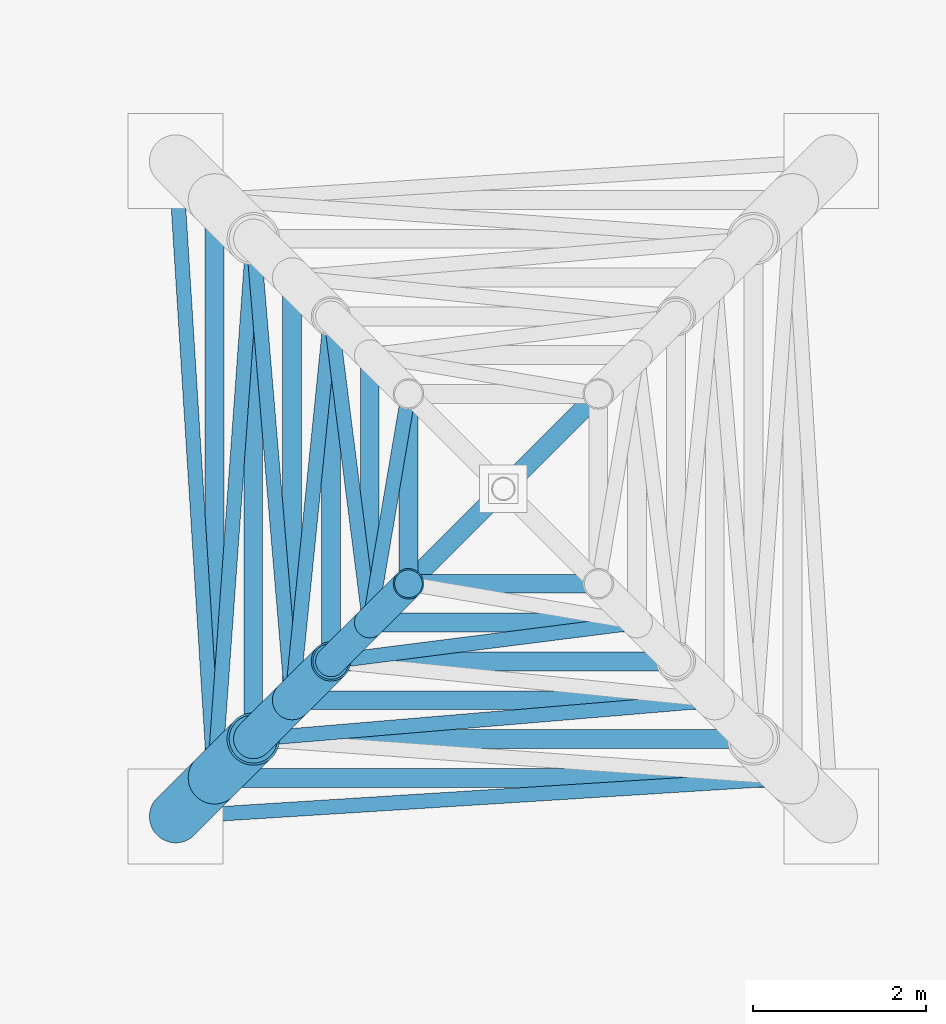
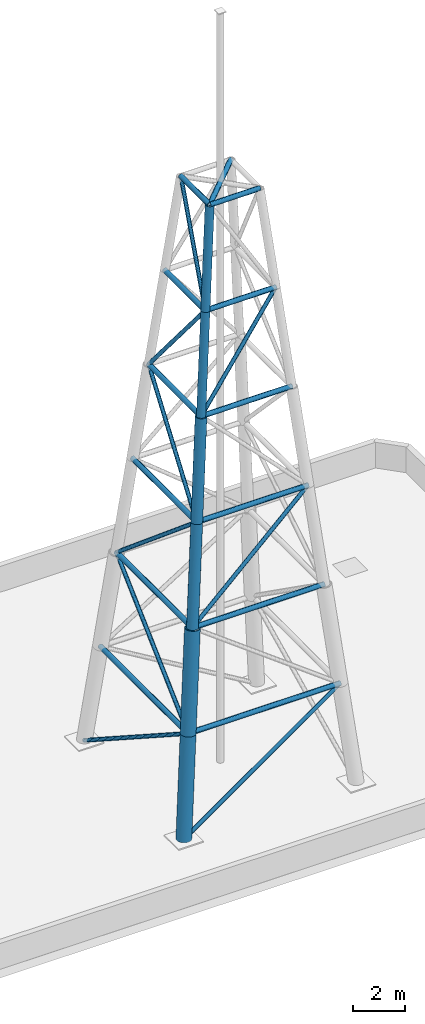
# One storey, part 1 of 3: 28 members.
"""IFC4 building model written with IfcOpenShell, lengths in metres."""

import ifcopenshell
import ifcopenshell.guid

model = None  # the IFC model being written
_history = None  # IfcOwnerHistory: only IFC2X3 demands one
_inside = {}  # id of a spatial element -> (the spatial element, [elements in it])
_under = {}  # id of a project, library or spatial element -> (it, [spatial elements below it])
_declared = {}  # id of a project -> (the project, [libraries it declares])
_typed = {}  # id of a type object -> (the type object, [elements of that type])
_made_of = {}  # id of a material, layer set ... -> (it, [elements and type objects made of it])


def new_model(schema):
    """Start an empty IFC model of exactly this schema.

    Asked for "IFC4X3", IfcOpenShell would pick the latest addendum, in which some entities
    have other attributes; the version numbers below select the first issue.
    IFC2X3 requires an IfcOwnerHistory on every rooted entity: one is made here for all.
    """
    global model, _history
    if schema == "IFC4X3":
        model = ifcopenshell.file(schema_version=(4, 3, 0, 0))
    else:
        model = ifcopenshell.file(schema=schema)
    _inside.clear()
    _under.clear()
    _declared.clear()
    _typed.clear()
    _made_of.clear()
    _history = None
    if model.schema == "IFC2X3":
        org = make("IfcOrganization", Name="unknown")
        user = make(
            "IfcPersonAndOrganization",
            ThePerson=make("IfcPerson", FamilyName="unknown"),
            TheOrganization=org,
        )
        app = make(
            "IfcApplication",
            ApplicationDeveloper=org,
            Version="unknown",
            ApplicationFullName="unknown",
            ApplicationIdentifier="unknown",
        )
        _history = make(
            "IfcOwnerHistory",
            OwningUser=user,
            OwningApplication=app,
            ChangeAction="ADDED",
            CreationDate=0,
        )
    return model


def make(cls, **values):
    """One entity of the class cls with the attributes given. An attribute that is None is left unset."""
    return model.create_entity(
        cls, **{name: value for name, value in values.items() if value is not None}
    )


def rooted(cls, **values):
    """An entity with a GlobalId (a new one), such as an element, a storey or a relation."""
    return make(cls, GlobalId=ifcopenshell.guid.new(), OwnerHistory=_history, **values)


def si_unit(unit_type, name, prefix=None):
    """IfcSIUnit, for example si_unit("LENGTHUNIT", "METRE", prefix="MILLI")."""
    return make("IfcSIUnit", UnitType=unit_type, Prefix=prefix, Name=name)


def assignment(units):
    """IfcUnitAssignment: the units of a project."""
    return None if units is None else make("IfcUnitAssignment", Units=units)


def point(xyz):
    """IfcCartesianPoint."""
    return None if xyz is None else make("IfcCartesianPoint", Coordinates=xyz)


def direction(xyz):
    """IfcDirection."""
    return None if xyz is None else make("IfcDirection", DirectionRatios=xyz)


def frame(location, z_axis=None, x_axis=None):
    """IfcAxis2Placement3D, a coordinate frame: its origin and axes. An axis left out is left unset."""
    return make(
        "IfcAxis2Placement3D",
        Location=point(location),
        Axis=direction(z_axis),
        RefDirection=direction(x_axis),
    )


def frame_2d(location, x_axis=None):
    """IfcAxis2Placement2D, a coordinate frame in the plane: its origin and x axis."""
    return make(
        "IfcAxis2Placement2D", Location=point(location), RefDirection=direction(x_axis)
    )


def origin():
    """The frame at (0, 0, 0) with its axes left unset."""
    return frame((0.0, 0.0, 0.0))


def origin_2d():
    """The frame at (0, 0) in the plane with its x axis left unset."""
    return frame_2d((0.0, 0.0))


def place(relative_to, where):
    """IfcLocalPlacement: puts the frame where relative to a parent placement (None: the world)."""
    return make(
        "IfcLocalPlacement", PlacementRelTo=relative_to, RelativePlacement=where
    )


def context(
    kind, dimensions, precision=None, world=None, true_north=None, identifier=None
):
    """IfcGeometricRepresentationContext, for example the 3D "Model" context."""
    return make(
        "IfcGeometricRepresentationContext",
        ContextIdentifier=identifier,
        ContextType=kind,
        CoordinateSpaceDimension=dimensions,
        Precision=precision,
        WorldCoordinateSystem=world,
        TrueNorth=true_north,
    )


def subcontext(parent, identifier, kind, view, scale=None):
    """IfcGeometricRepresentationSubContext, for example "Body" below "Model"."""
    return make(
        "IfcGeometricRepresentationSubContext",
        ContextIdentifier=identifier,
        ContextType=kind,
        ParentContext=parent,
        TargetScale=scale,
        TargetView=view,
    )


def project(units=None, contexts=None):
    """IfcProject with its units and contexts."""
    return rooted(
        "IfcProject",
        Name="project",
        RepresentationContexts=contexts,
        UnitsInContext=assignment(units),
    )


def spatial(cls, under=None, at=None, **own):
    """A site, building, storey or space (cls), placed at a placement, below another one or the project."""
    s = rooted(cls, ObjectPlacement=at, **own)
    if under is not None:
        _under.setdefault(under.id(), (under, []))[1].append(s)
    return s


def profile(cls, at=None, kind="AREA", **sizes):
    """A parametric profile (cls). Its sizes go by their IFC names, for example OverallWidth=200.0."""
    return make(cls, ProfileType=kind, Position=at, **sizes)


def hollow_circle(**sizes):
    """IfcCircleHollowProfileDef."""
    return profile("IfcCircleHollowProfileDef", **sizes)


def extrude(swept, where, along, depth):
    """IfcExtrudedAreaSolid: the profile swept, set in the frame where, extruded along a direction by depth."""
    return make(
        "IfcExtrudedAreaSolid",
        SweptArea=swept,
        Position=where,
        ExtrudedDirection=direction(along),
        Depth=depth,
    )


def shape(context_of_items, identifier, shape_type, items):
    """IfcShapeRepresentation: the items that make up one representation, for example the "Body"."""
    return make(
        "IfcShapeRepresentation",
        ContextOfItems=context_of_items,
        RepresentationIdentifier=identifier,
        RepresentationType=shape_type,
        Items=items,
    )


def material(Name=None, Category=None):
    """IfcMaterial."""
    return make("IfcMaterial", Name=Name, Category=Category)


def material_profile(
    of_material, cross_section, Name=None, Category=None, Priority=None
):
    """IfcMaterialProfile: a cross section and its material."""
    return make(
        "IfcMaterialProfile",
        Name=Name,
        Material=of_material,
        Profile=cross_section,
        Priority=Priority,
        Category=Category,
    )


def profile_set(profiles, Name=None, composite=None):
    """IfcMaterialProfileSet."""
    return make(
        "IfcMaterialProfileSet",
        Name=Name,
        MaterialProfiles=profiles,
        CompositeProfile=composite,
    )


def made_of(thing, what):
    """Note that an element or type object is made of a material, layer set ...; save() writes the relation."""
    if what is not None:
        _made_of.setdefault(what.id(), (what, []))[1].append(thing)
    return thing


def type_object(cls, material=None, **own):
    """A type object (cls), such as IfcWallType, which elements share."""
    return made_of(rooted(cls, **own), material)


def element(
    cls,
    number,
    at=None,
    inside=None,
    cuts=None,
    type_object=None,
    material=None,
    context=None,
    identifier="Body",
    shape_type=None,
    held_by="IfcProductDefinitionShape",
    body=None,
    shapes=None,
    **own,
):
    """One element of the class cls, such as IfcWall. Its Tag is "e" and its number.

    at: its placement. inside: the storey or other place that contains it. cuts: it is an
    opening in that element (IfcRelVoidsElement). A single representation is given by context,
    identifier, shape_type and body (its items); several are given by shapes. held_by: the class
    of the entity that holds the representations. save() writes the other relations.
    """
    e = rooted(cls, Tag="e%d" % number, ObjectPlacement=at, **own)
    if body is not None:
        shapes = [shape(context, identifier, shape_type, body)]
    if shapes is not None:
        e.Representation = make(held_by, Representations=shapes)
    if inside is not None:
        _inside.setdefault(inside.id(), (inside, []))[1].append(e)
    if cuts is not None:
        rooted(
            "IfcRelVoidsElement", RelatingBuildingElement=cuts, RelatedOpeningElement=e
        )
    if type_object is not None:
        _typed.setdefault(type_object.id(), (type_object, []))[1].append(e)
    return made_of(e, material)


def aggregate(whole, parts):
    """IfcRelAggregates: a whole, such as a stair, and the parts it consists of."""
    return rooted("IfcRelAggregates", RelatingObject=whole, RelatedObjects=parts)


def save(model, path):
    """Write the relations noted so far, then the file.

    IfcRelAggregates (storeys below a building ...), IfcRelContainedInSpatialStructure (elements
    in a storey), IfcRelDefinesByType, IfcRelAssociatesMaterial and IfcRelDeclares: one each for
    every whole, place, type object, material and project.
    """
    for whole, parts in _under.values():
        aggregate(whole, parts)
    for where, things in _inside.values():
        rooted(
            "IfcRelContainedInSpatialStructure",
            RelatedElements=things,
            RelatingStructure=where,
        )
    for kind, things in _typed.values():
        rooted("IfcRelDefinesByType", RelatedObjects=things, RelatingType=kind)
    for what, things in _made_of.values():
        rooted("IfcRelAssociatesMaterial", RelatedObjects=things, RelatingMaterial=what)
    for by, libraries in _declared.values():
        rooted("IfcRelDeclares", RelatingContext=by, RelatedDefinitions=libraries)
    model.write(path)


model = new_model("IFC4")

# Units and contexts
model_context = context("Model", 3, precision=1e-05, world=origin(), true_north=direction((0.0, 1.0)))
body_context = subcontext(model_context, "Body", "Model", "MODEL_VIEW")
ifc_project = project(units=[si_unit("LENGTHUNIT", "METRE"), si_unit("AREAUNIT", "SQUARE_METRE"), si_unit("VOLUMEUNIT", "CUBIC_METRE"), si_unit("PLANEANGLEUNIT", "RADIAN"), si_unit("MASSUNIT", "GRAM", prefix="KILO")], contexts=[model_context])

# Site, building, storey
site_placement = place(None, origin())
site = spatial("IfcSite", under=ifc_project, at=site_placement, CompositionType="ELEMENT")
building_placement = place(site_placement, origin())
building = spatial("IfcBuilding", under=site, at=building_placement, Name="Ventersveld Concourse Tower", CompositionType="ELEMENT")
storey_placement = place(building_placement, frame((0.0, 0.0, 393.64990234375)))
storey = spatial("IfcBuildingStorey", under=building, at=storey_placement, Name="RF", CompositionType="ELEMENT", Elevation=393.64990234375)

# Members
ifc_material = material(Name="Structural steel S355J2", Category="steel")
ifc_material_profile_1 = material_profile(ifc_material, hollow_circle(Radius=0.084228515625, WallThickness=0.008056640625, at=origin_2d()), Name="CHS 168.3x8")
ifc_profile_set_1 = profile_set([ifc_material_profile_1], Name="Structural steel S355J2")
member_type_1 = type_object("IfcMemberType", Name="MAST-BRC-168", PredefinedType="USERDEFINED", material=ifc_profile_set_1)
for number, where, z_axis, x_axis, name in (
    (1, (24.949951171875, 4.0, 0.0), (0.845138797487, 0.053183692552, 0.531894639782), (-0.062804712487, 0.998025835382, 0.0), "Broadcast Mast Lattice Diagonal Brace T1-F1"),
    (2, (24.949951171875, 11.60009765625, 0.0), (0.053183692552, -0.845138797487, 0.531894639782), (0.998025835382, 0.062804712487, 0.0), "Broadcast Mast Lattice Diagonal Brace T1-F4"),
):
    element("IfcMember", number, at=place(storey_placement, frame(where, z_axis=z_axis, x_axis=x_axis)), inside=storey, type_object=member_type_1, Name=name, ObjectType="MAST", PredefinedType="USERDEFINED", context=body_context, shape_type="SweptSolid", body=[
        extrude(hollow_circle(Radius=0.084228515625, WallThickness=0.008056640625, at=origin_2d()), origin(), (0.0, 0.0, 1.0), 8.460205078125),
    ])
member_1_placement = place(storey_placement, frame((25.39990234375, 4.449951171875, 4.5), z_axis=(0.058356214007, 0.810151344132, 0.583308967775), x_axis=(-0.997415801263, 0.071845106935, 0.0)))
element("IfcMember", 3, at=member_1_placement, inside=storey, type_object=member_type_1, Name="Broadcast Mast Lattice Diagonal Brace T2-F4", ObjectType="MAST", PredefinedType="USERDEFINED", context=body_context, shape_type="SweptSolid", body=[
    extrude(hollow_circle(Radius=0.084228515625, WallThickness=0.008056640625, at=origin_2d()), origin(), (0.0, 0.0, 1.0), 7.714599609375),
])
member_2_placement = place(storey_placement, frame((25.85009765625, 4.89990234375, 9.0), z_axis=(0.763691389477, 0.064265364039, 0.642374831873), x_axis=(-0.083854581134, 0.996478002378, 0.0)))
element("IfcMember", 4, at=member_2_placement, inside=storey, type_object=member_type_1, Name="Broadcast Mast Lattice Diagonal Brace T3-F1", ObjectType="MAST", PredefinedType="USERDEFINED", context=body_context, shape_type="SweptSolid", body=[
    extrude(hollow_circle(Radius=0.084228515625, WallThickness=0.008056640625, at=origin_2d()), origin(), (0.0, 0.0, 1.0), 7.00537109375),
])
member_3_placement = place(storey_placement, frame((25.85009765625, 10.699951171875, 9.0), z_axis=(0.064230656794, -0.763693099471, 0.642376270225), x_axis=(0.996481801166, 0.083809426347, 0.0)))
element("IfcMember", 5, at=member_3_placement, inside=storey, type_object=member_type_1, Name="Broadcast Mast Lattice Diagonal Brace T3-F4", ObjectType="MAST", PredefinedType="USERDEFINED", context=body_context, shape_type="SweptSolid", body=[
    extrude(hollow_circle(Radius=0.084228515625, WallThickness=0.008056640625, at=origin_2d()), origin(), (0.0, 0.0, 1.0), 7.005126953125),
])
member_4_placement = place(storey_placement, frame((26.300048828125, 5.35009765625, 13.5), z_axis=(0.070918256977, 0.701371171956, 0.709259529352), x_axis=(-0.994926874266, 0.100600769697, 0.0)))
element("IfcMember", 6, at=member_4_placement, inside=storey, type_object=member_type_1, Name="Broadcast Mast Lattice Diagonal Brace T4-F4", ObjectType="MAST", PredefinedType="USERDEFINED", context=body_context, shape_type="SweptSolid", body=[
    extrude(hollow_circle(Radius=0.084228515625, WallThickness=0.008056640625, at=origin_2d()), origin(), (0.0, 0.0, 1.0), 6.3447265625),
])
for number, where, z_axis, x_axis, name in (
    (7, (26.75, 5.800048828125, 18.0), (0.617467006978, 0.078260896352, 0.782693891247), (-0.125739133172, 0.992063339908, 0.0), "Broadcast Mast Lattice Diagonal Brace T5-F1"),
    (8, (26.75, 9.800048828125, 18.0), (0.078260896352, -0.617467006978, 0.782693891247), (0.992063339908, 0.125739133172, 0.0), "Broadcast Mast Lattice Diagonal Brace T5-F4"),
):
    element("IfcMember", number, at=place(storey_placement, frame(where, z_axis=z_axis, x_axis=x_axis)), inside=storey, type_object=member_type_1, Name=name, ObjectType="MAST", PredefinedType="USERDEFINED", context=body_context, shape_type="SweptSolid", body=[
        extrude(hollow_circle(Radius=0.084228515625, WallThickness=0.008056640625, at=origin_2d()), origin(), (0.0, 0.0, 1.0), 5.749267578125),
    ])
member_5_placement = place(storey_placement, frame((27.199951171875, 6.25, 22.5), z_axis=(0.085842226732, 0.5055515621, 0.858515422207), x_axis=(-0.985888544643, 0.167403039228, 0.0)))
element("IfcMember", 9, at=member_5_placement, inside=storey, type_object=member_type_1, Name="Broadcast Mast Lattice Diagonal Brace T6-F4", ObjectType="MAST", PredefinedType="USERDEFINED", context=body_context, shape_type="SweptSolid", body=[
    extrude(hollow_circle(Radius=0.084228515625, WallThickness=0.008056640625, at=origin_2d()), origin(), (0.0, 0.0, 1.0), 5.24169921875),
])
ifc_material_profile_2 = material_profile(ifc_material, hollow_circle(Radius=0.109619140625, WallThickness=0.010009765625, at=origin_2d()), Name="CHS 219.1x10")
ifc_profile_set_2 = profile_set([ifc_material_profile_2], Name="Structural steel S355J2")
member_type_2 = type_object("IfcMemberType", Name="MAST-GRT-219", PredefinedType="USERDEFINED", material=ifc_profile_set_2)
member_6_placement = place(storey_placement, frame((25.39990234375, 4.449951171875, 4.5), z_axis=(1.0, 0.0, 0.0), x_axis=(0.0, 1.0, 0.0)))
element("IfcMember", 10, at=member_6_placement, inside=storey, type_object=member_type_2, Name="Broadcast Mast Horizontal Girt T1-F1", ObjectType="MAST", PredefinedType="USERDEFINED", context=body_context, shape_type="SweptSolid", body=[
    extrude(hollow_circle(Radius=0.109619140625, WallThickness=0.010009765625, at=origin_2d()), origin(), (0.0, 0.0, 1.0), 6.7001953125),
])
member_7_placement = place(storey_placement, frame((25.39990234375, 11.14990234375, 4.5), z_axis=(0.0, -1.0, 0.0), x_axis=(1.0, 0.0, 0.0)))
element("IfcMember", 11, at=member_7_placement, inside=storey, type_object=member_type_2, Name="Broadcast Mast Horizontal Girt T1-F4", ObjectType="MAST", PredefinedType="USERDEFINED", context=body_context, shape_type="SweptSolid", body=[
    extrude(hollow_circle(Radius=0.109619140625, WallThickness=0.010009765625, at=origin_2d()), origin(), (0.0, 0.0, 1.0), 6.699951171875),
])
member_8_placement = place(storey_placement, frame((25.85009765625, 4.89990234375, 9.0), z_axis=(1.0, 0.0, 0.0), x_axis=(0.0, 1.0, 0.0)))
element("IfcMember", 12, at=member_8_placement, inside=storey, type_object=member_type_2, Name="Broadcast Mast Horizontal Girt T2-F1", ObjectType="MAST", PredefinedType="USERDEFINED", context=body_context, shape_type="SweptSolid", body=[
    extrude(hollow_circle(Radius=0.109619140625, WallThickness=0.010009765625, at=origin_2d()), origin(), (0.0, 0.0, 1.0), 5.7998046875),
])
member_9_placement = place(storey_placement, frame((25.85009765625, 10.699951171875, 9.0), z_axis=(0.0, -1.0, 0.0), x_axis=(1.0, 0.0, 0.0)))
element("IfcMember", 13, at=member_9_placement, inside=storey, type_object=member_type_2, Name="Broadcast Mast Horizontal Girt T2-F4", ObjectType="MAST", PredefinedType="USERDEFINED", context=body_context, shape_type="SweptSolid", body=[
    extrude(hollow_circle(Radius=0.109619140625, WallThickness=0.010009765625, at=origin_2d()), origin(), (0.0, 0.0, 1.0), 5.800048828125),
])
for number, where, z_axis, x_axis, name in (
    (14, (26.300048828125, 5.35009765625, 13.5), (1.0, 0.0, 0.0), (0.0, 1.0, 0.0), "Broadcast Mast Horizontal Girt T3-F1"),
    (15, (26.300048828125, 10.25, 13.5), (0.0, -1.0, 0.0), (1.0, 0.0, 0.0), "Broadcast Mast Horizontal Girt T3-F4"),
):
    element("IfcMember", number, at=place(storey_placement, frame(where, z_axis=z_axis, x_axis=x_axis)), inside=storey, type_object=member_type_2, Name=name, ObjectType="MAST", PredefinedType="USERDEFINED", context=body_context, shape_type="SweptSolid", body=[
        extrude(hollow_circle(Radius=0.109619140625, WallThickness=0.010009765625, at=origin_2d()), origin(), (0.0, 0.0, 1.0), 4.89990234375),
    ])
for number, where, z_axis, x_axis, name in (
    (16, (26.75, 5.800048828125, 18.0), (1.0, 0.0, 0.0), (0.0, 1.0, 0.0), "Broadcast Mast Horizontal Girt T4-F1"),
    (17, (26.75, 9.800048828125, 18.0), (0.0, -1.0, 0.0), (1.0, 0.0, 0.0), "Broadcast Mast Horizontal Girt T4-F4"),
):
    element("IfcMember", number, at=place(storey_placement, frame(where, z_axis=z_axis, x_axis=x_axis)), inside=storey, type_object=member_type_2, Name=name, ObjectType="MAST", PredefinedType="USERDEFINED", context=body_context, shape_type="SweptSolid", body=[
        extrude(hollow_circle(Radius=0.109619140625, WallThickness=0.010009765625, at=origin_2d()), origin(), (0.0, 0.0, 1.0), 4.0),
    ])
for number, where, z_axis, x_axis, name in (
    (18, (27.199951171875, 6.25, 22.5), (1.0, 0.0, 0.0), (0.0, 1.0, 0.0), "Broadcast Mast Horizontal Girt T5-F1"),
    (19, (27.199951171875, 9.35009765625, 22.5), (0.0, -1.0, 0.0), (1.0, 0.0, 0.0), "Broadcast Mast Horizontal Girt T5-F4"),
):
    element("IfcMember", number, at=place(storey_placement, frame(where, z_axis=z_axis, x_axis=x_axis)), inside=storey, type_object=member_type_2, Name=name, ObjectType="MAST", PredefinedType="USERDEFINED", context=body_context, shape_type="SweptSolid", body=[
        extrude(hollow_circle(Radius=0.109619140625, WallThickness=0.010009765625, at=origin_2d()), origin(), (0.0, 0.0, 1.0), 3.10009765625),
    ])
member_10_placement = place(storey_placement, frame((27.64990234375, 6.699951171875, 27.0), z_axis=(1.0, 0.0, 0.0), x_axis=(0.0, 1.0, 0.0)))
element("IfcMember", 20, at=member_10_placement, inside=storey, type_object=member_type_2, Name="Broadcast Mast Horizontal Girt T6-F1", ObjectType="MAST", PredefinedType="USERDEFINED", context=body_context, shape_type="SweptSolid", body=[
    extrude(hollow_circle(Radius=0.109619140625, WallThickness=0.010009765625, at=origin_2d()), origin(), (0.0, 0.0, 1.0), 2.2001953125),
])
member_11_placement = place(storey_placement, frame((27.64990234375, 8.89990234375, 27.0), z_axis=(0.0, -1.0, 0.0), x_axis=(1.0, 0.0, 0.0)))
element("IfcMember", 21, at=member_11_placement, inside=storey, type_object=member_type_2, Name="Broadcast Mast Horizontal Girt T6-F4", ObjectType="MAST", PredefinedType="USERDEFINED", context=body_context, shape_type="SweptSolid", body=[
    extrude(hollow_circle(Radius=0.109619140625, WallThickness=0.010009765625, at=origin_2d()), origin(), (0.0, 0.0, 1.0), 2.199951171875),
])
member_12_placement = place(storey_placement, frame((27.64990234375, 6.699951171875, 27.0), z_axis=(0.707146013676, 0.70706754652, 0.0), x_axis=(-0.70706754652, 0.707146013676, 0.0)))
element("IfcMember", 22, at=member_12_placement, inside=storey, type_object=member_type_2, Name="Broadcast Mast Top Cap Cross-Tie 1", ObjectType="MAST", PredefinedType="USERDEFINED", context=body_context, shape_type="SweptSolid", body=[
    extrude(hollow_circle(Radius=0.109619140625, WallThickness=0.010009765625, at=origin_2d()), origin(), (0.0, 0.0, 1.0), 3.111328125),
])
ifc_material_profile_3 = material_profile(ifc_material, hollow_circle(Radius=0.177734375, WallThickness=0.01611328125, at=origin_2d()), Name="CHS 355.6x16")
ifc_profile_set_3 = profile_set([ifc_material_profile_3], Name="Structural steel S355J2")
member_type_3 = type_object("IfcMemberType", Name="MAST-LEG-355", PredefinedType="USERDEFINED", material=ifc_profile_set_3)
for number, where, z_axis, x_axis, name in (
    (23, (26.75, 5.800048828125, 18.0), (0.099004221138, 0.099004221138, 0.990149649494), (-0.707106781187, 0.707106781187, 0.0), "Broadcast Mast Corner Leg T5-L1"),
    (24, (27.199951171875, 6.25, 22.5), (0.099004221138, 0.099004221138, 0.990149649494), (-0.707106781187, 0.707106781187, 0.0), "Broadcast Mast Corner Leg T6-L1"),
):
    element("IfcMember", number, at=place(storey_placement, frame(where, z_axis=z_axis, x_axis=x_axis)), inside=storey, type_object=member_type_3, Name=name, ObjectType="MAST", PredefinedType="USERDEFINED", context=body_context, shape_type="SweptSolid", body=[
        extrude(hollow_circle(Radius=0.177734375, WallThickness=0.01611328125, at=origin_2d()), origin(), (0.0, 0.0, 1.0), 4.544677734375),
    ])
ifc_material_profile_4 = material_profile(ifc_material, hollow_circle(Radius=0.228515625, WallThickness=0.02001953125, at=origin_2d()), Name="CHS 457x20")
ifc_profile_set_4 = profile_set([ifc_material_profile_4], Name="Structural steel S355J2")
member_type_4 = type_object("IfcMemberType", Name="MAST-LEG-457", PredefinedType="USERDEFINED", material=ifc_profile_set_4)
for number, where, z_axis, x_axis, name in (
    (25, (25.85009765625, 4.89990234375, 9.0), (0.099003694454, 0.099057413225, 0.990144382083), (-0.707298538947, 0.70691497141, 0.0), "Broadcast Mast Corner Leg T3-L1"),
    (26, (26.300048828125, 5.35009765625, 13.5), (0.099004221138, 0.099004221138, 0.990149649494), (-0.707106781187, 0.707106781187, 0.0), "Broadcast Mast Corner Leg T4-L1"),
):
    element("IfcMember", number, at=place(storey_placement, frame(where, z_axis=z_axis, x_axis=x_axis)), inside=storey, type_object=member_type_4, Name=name, ObjectType="MAST", PredefinedType="USERDEFINED", context=body_context, shape_type="SweptSolid", body=[
        extrude(hollow_circle(Radius=0.228515625, WallThickness=0.02001953125, at=origin_2d()), origin(), (0.0, 0.0, 1.0), 4.544677734375),
    ])
ifc_material_profile_5 = material_profile(ifc_material, hollow_circle(Radius=0.304931640625, WallThickness=0.02490234375, at=origin_2d()), Name="CHS 610x25")
ifc_profile_set_5 = profile_set([ifc_material_profile_5], Name="Structural steel S355J2")
member_type_5 = type_object("IfcMemberType", Name="MAST-LEG-610", PredefinedType="USERDEFINED", material=ifc_profile_set_5)
for number, where, z_axis, x_axis, name in (
    (27, (24.949951171875, 4.0, 0.0), (0.099004221138, 0.099004221138, 0.990149649494), (-0.707106781187, 0.707106781187, 0.0), "Broadcast Mast Corner Leg T1-L1"),
    (28, (25.39990234375, 4.449951171875, 4.5), (0.099057413225, 0.099003694454, 0.990144382083), (-0.70691497141, 0.707298538947, 0.0), "Broadcast Mast Corner Leg T2-L1"),
):
    element("IfcMember", number, at=place(storey_placement, frame(where, z_axis=z_axis, x_axis=x_axis)), inside=storey, type_object=member_type_5, Name=name, ObjectType="MAST", PredefinedType="USERDEFINED", context=body_context, shape_type="SweptSolid", body=[
        extrude(hollow_circle(Radius=0.304931640625, WallThickness=0.02490234375, at=origin_2d()), origin(), (0.0, 0.0, 1.0), 4.544677734375),
    ])

save(model, "model.ifc")
